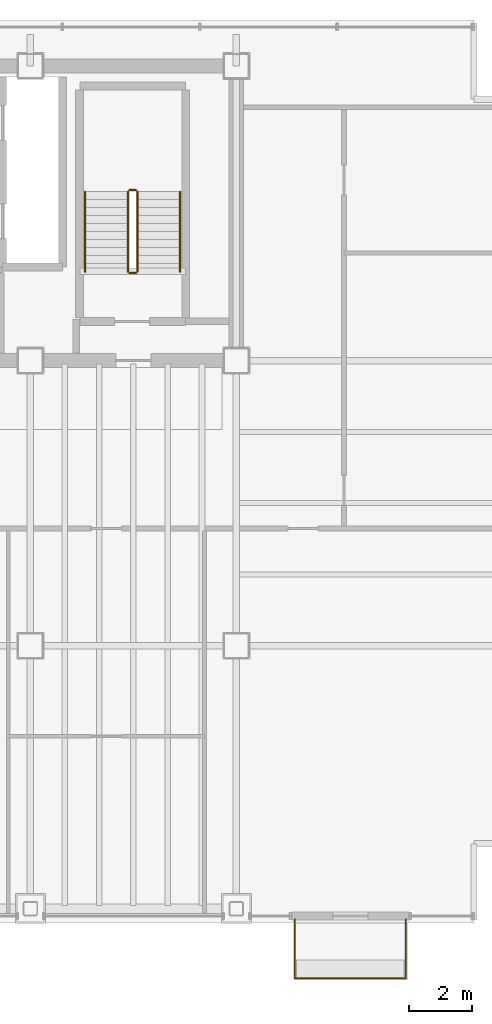
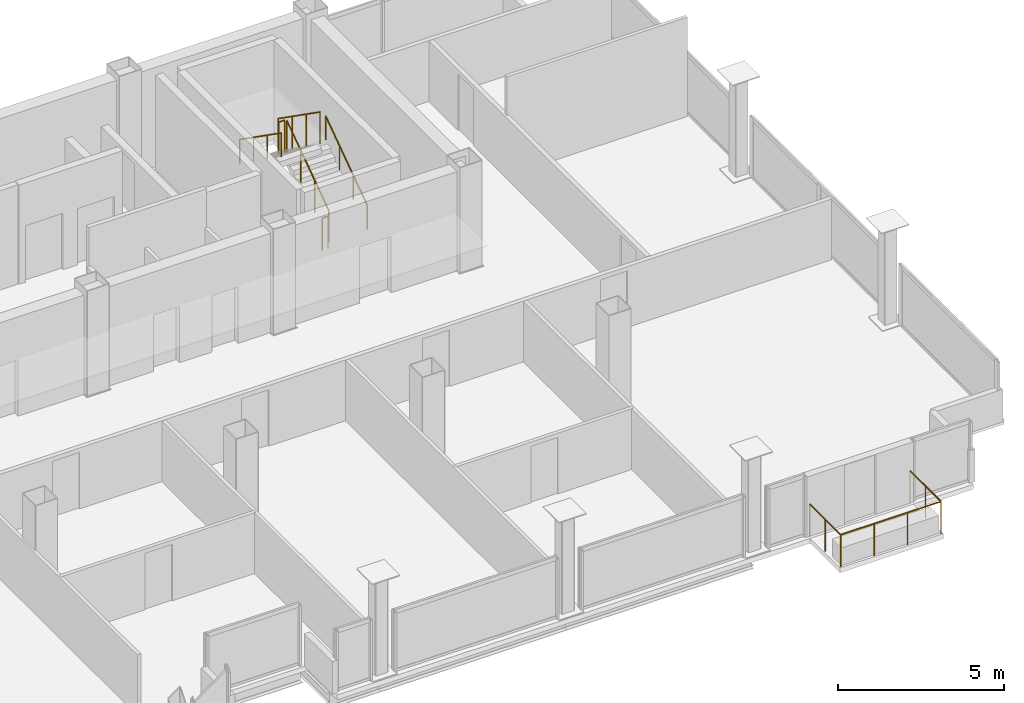
# One storey, part 17 of 17: 7 railings.
"""IFC4 building model written with IfcOpenShell, lengths in metres."""

from ifc_helpers import new_model, si_unit, direction, frame, origin, origin_2d, place, context, subcontext, project, spatial, circle, extrude, material, layer, layer_set, type_object, element, save


model = new_model("IFC4")

# Units and contexts
model_context = context("Model", 3, precision=1e-05, world=origin(), true_north=direction((0.0, 1.0)))
body_context = subcontext(model_context, "Body", "Model", "MODEL_VIEW")
ifc_project = project(units=[si_unit("LENGTHUNIT", "METRE"), si_unit("AREAUNIT", "SQUARE_METRE"), si_unit("VOLUMEUNIT", "CUBIC_METRE"), si_unit("PLANEANGLEUNIT", "RADIAN"), si_unit("MASSUNIT", "GRAM", prefix="KILO")], contexts=[model_context])

# Site, building, storey
site_placement = place(None, origin())
site = spatial("IfcSite", under=ifc_project, at=site_placement, CompositionType="ELEMENT")
building_placement = place(site_placement, origin())
building = spatial("IfcBuilding", under=site, at=building_placement, Name="Noeulbin Bourse Tower", CompositionType="ELEMENT")
storey_placement = place(building_placement, frame((0.0, 0.0, 226.699951171875)))
storey = spatial("IfcBuildingStorey", under=building, at=storey_placement, Name="L56", CompositionType="ELEMENT", Elevation=226.699951171875)

# Railings
ifc_material_1 = material(Name="Laminated SentryGlas and Stainless Steel 316", Category="steel")
ifc_layer_1 = layer(ifc_material_1, 0.06005859375)
ifc_layer_set_1 = layer_set([ifc_layer_1], Name="Laminated SentryGlas and Stainless Steel 316")
railing_type_1 = type_object("IfcRailingType", Name="RLG-BAL-1200", PredefinedType="BALUSTRADE", material=ifc_layer_set_1)
railing_1_placement = place(storey_placement, frame((45.85009765625, 11.3701171875, 0.0)))
element("IfcRailing", 1, at=railing_1_placement, inside=storey, type_object=railing_type_1, Name="Tree-Balcony Glazed Balustrade L56", PredefinedType="BALUSTRADE", context=body_context, shape_type="SweptSolid", body=[
    extrude(circle(Radius=0.02392578125, at=origin_2d()), frame((0.0, 0.0, 1.17578125), z_axis=(0.0, -1.0, 0.0), x_axis=(1.0, 0.0, 0.0)), (0.0, 0.0, 1.0), 1.8701171875),
    extrude(circle(Radius=0.02392578125, at=origin_2d()), frame((0.0, -1.8701171875, 1.17578125), z_axis=(1.0, 0.0, 0.0), x_axis=(0.0, 1.0, 0.0)), (0.0, 0.0, 1.0), 3.5),
    extrude(circle(Radius=0.02392578125, at=origin_2d()), frame((3.5, -1.8701171875, 1.17578125), z_axis=(0.0, 1.0, 0.0), x_axis=(-1.0, 0.0, 0.0)), (0.0, 0.0, 1.0), 1.8701171875),
    extrude(circle(Radius=0.02099609375, at=origin_2d()), origin(), (0.0, 0.0, 1.0), 1.15185546875),
    extrude(circle(Radius=0.02099609375, at=origin_2d()), frame((0.0, -0.93505859375, 0.0)), (0.0, 0.0, 1.0), 1.15185546875),
    extrude(circle(Radius=0.02099609375, at=origin_2d()), frame((0.0, -1.8701171875, 0.0)), (0.0, 0.0, 1.0), 1.15185546875),
    extrude(circle(Radius=0.02099609375, at=origin_2d()), frame((1.166748046875, -1.8701171875, 0.0)), (0.0, 0.0, 1.0), 1.15185546875),
    extrude(circle(Radius=0.02099609375, at=origin_2d()), frame((2.333251953125, -1.8701171875, 0.0)), (0.0, 0.0, 1.0), 1.15185546875),
    extrude(circle(Radius=0.02099609375, at=origin_2d()), frame((3.5, -1.8701171875, 0.0)), (0.0, 0.0, 1.0), 1.15185546875),
    extrude(circle(Radius=0.02099609375, at=origin_2d()), frame((3.5, -0.93505859375, 0.0)), (0.0, 0.0, 1.0), 1.15185546875),
    extrude(circle(Radius=0.02099609375, at=origin_2d()), frame((3.5, 0.0, 0.0)), (0.0, 0.0, 1.0), 1.15185546875),
])
ifc_material_2 = material(Name="Painted Tubular Steel S355", Category="steel")
ifc_layer_2 = layer(ifc_material_2, 0.048095703125)
ifc_layer_set_2 = layer_set([ifc_layer_2], Name="Painted Tubular Steel S355")
railing_type_2 = type_object("IfcRailingType", Name="RLG-STR-GRD", PredefinedType="GUARDRAIL", material=ifc_layer_set_2)
railing_2_placement = place(storey_placement, frame((40.8798828125, 31.81005859375, 0.17724609375)))
element("IfcRailing", 2, at=railing_2_placement, inside=storey, type_object=railing_type_2, Name="L56 ST-2 stair guard 1", PredefinedType="GUARDRAIL", context=body_context, shape_type="SweptSolid", body=[
    extrude(circle(Radius=0.02392578125, at=origin_2d()), frame((0.0, 0.0, 1.17578125), z_axis=(0.0, 0.817904474719, 0.575354039036), x_axis=(-1.0, 0.0, 0.0)), (0.0, 0.0, 1.0), 3.0810546875),
    extrude(circle(Radius=0.02099609375, at=origin_2d()), origin(), (0.0, 0.0, 1.0), 1.15185546875),
    extrude(circle(Radius=0.02099609375, at=origin_2d()), frame((0.0, 0.840087890625, 0.5908203125)), (0.0, 0.0, 1.0), 1.15185546875),
    extrude(circle(Radius=0.02099609375, at=origin_2d()), frame((0.0, 1.679931640625, 1.181884765625)), (0.0, 0.0, 1.0), 1.15185546875),
    extrude(circle(Radius=0.02099609375, at=origin_2d()), frame((0.0, 2.52001953125, 1.772705078125)), (0.0, 0.0, 1.0), 1.15185546875),
])
railing_3_placement = place(storey_placement, frame((40.830078125, 34.3798828125, 1.949951171875)))
element("IfcRailing", 3, at=railing_3_placement, inside=storey, type_object=railing_type_2, Name="L56 ST-2 stair guard 2", PredefinedType="GUARDRAIL", context=body_context, shape_type="SweptSolid", body=[
    extrude(circle(Radius=0.02392578125, at=origin_2d()), frame((0.0, 0.0, 1.17578125), z_axis=(-1.0, 0.0, 0.0), x_axis=(0.0, -1.0, 0.0)), (0.0, 0.0, 1.0), 0.2001953125),
    extrude(circle(Radius=0.02099609375, at=origin_2d()), origin(), (0.0, 0.0, 1.0), 1.15185546875),
    extrude(circle(Radius=0.02099609375, at=origin_2d()), frame((-0.2001953125, 0.0, 0.0)), (0.0, 0.0, 1.0), 1.15185546875),
])
railing_4_placement = place(storey_placement, frame((40.580078125, 34.330078125, 2.12744140625)))
element("IfcRailing", 4, at=railing_4_placement, inside=storey, type_object=railing_type_2, Name="L56 ST-2 stair guard 3", PredefinedType="GUARDRAIL", context=body_context, shape_type="SweptSolid", body=[
    extrude(circle(Radius=0.02392578125, at=origin_2d()), frame((0.0, 0.0, 1.17578125), z_axis=(0.0, -0.817904474719, 0.575354039036), x_axis=(1.0, 0.0, 0.0)), (0.0, 0.0, 1.0), 3.0810546875),
    extrude(circle(Radius=0.02099609375, at=origin_2d()), origin(), (0.0, 0.0, 1.0), 1.15185546875),
    extrude(circle(Radius=0.02099609375, at=origin_2d()), frame((0.0, -0.840087890625, 0.5908203125)), (0.0, 0.0, 1.0), 1.15185546875),
    extrude(circle(Radius=0.02099609375, at=origin_2d()), frame((0.0, -1.679931640625, 1.181884765625)), (0.0, 0.0, 1.0), 1.15185546875),
    extrude(circle(Radius=0.02099609375, at=origin_2d()), frame((0.0, -2.52001953125, 1.772705078125)), (0.0, 0.0, 1.0), 1.15185546875),
])
railing_5_placement = place(storey_placement, frame((40.830078125, 31.760009765625, 0.0)))
element("IfcRailing", 5, at=railing_5_placement, inside=storey, type_object=railing_type_2, Name="L56 ST-2 stair guard 4", PredefinedType="GUARDRAIL", context=body_context, shape_type="SweptSolid", body=[
    extrude(circle(Radius=0.02392578125, at=origin_2d()), frame((0.0, 0.0, 1.17578125), z_axis=(-1.0, 0.0, 0.0), x_axis=(0.0, -1.0, 0.0)), (0.0, 0.0, 1.0), 0.2001953125),
    extrude(circle(Radius=0.02099609375, at=origin_2d()), origin(), (0.0, 0.0, 1.0), 1.15185546875),
    extrude(circle(Radius=0.02099609375, at=origin_2d()), frame((-0.2001953125, 0.0, 0.0)), (0.0, 0.0, 1.0), 1.15185546875),
])
ifc_material_3 = material(Name="Brushed Stainless Steel 316", Category="steel")
ifc_layer_3 = layer(ifc_material_3, 0.048095703125)
ifc_layer_set_3 = layer_set([ifc_layer_3], Name="Brushed Stainless Steel 316")
railing_type_3 = type_object("IfcRailingType", Name="RLG-STR-HND", PredefinedType="HANDRAIL", material=ifc_layer_set_3)
railing_6_placement = place(storey_placement, frame((42.22998046875, 31.81005859375, 0.17724609375)))
element("IfcRailing", 6, at=railing_6_placement, inside=storey, type_object=railing_type_3, Name="L56 ST-2 stair handrail 1", PredefinedType="HANDRAIL", context=body_context, shape_type="SweptSolid", body=[
    extrude(circle(Radius=0.02392578125, at=origin_2d()), frame((0.0, 0.0, 0.8759765625), z_axis=(0.0, 0.817904474719, 0.575354039036), x_axis=(-1.0, 0.0, 0.0)), (0.0, 0.0, 1.0), 3.0810546875),
    extrude(circle(Radius=0.02099609375, at=origin_2d()), origin(), (0.0, 0.0, 1.0), 0.851806640625),
    extrude(circle(Radius=0.02099609375, at=origin_2d()), frame((0.0, 0.840087890625, 0.5908203125)), (0.0, 0.0, 1.0), 0.851806640625),
    extrude(circle(Radius=0.02099609375, at=origin_2d()), frame((0.0, 1.679931640625, 1.181884765625)), (0.0, 0.0, 1.0), 0.851806640625),
    extrude(circle(Radius=0.02099609375, at=origin_2d()), frame((0.0, 2.52001953125, 1.772705078125)), (0.0, 0.0, 1.0), 0.851806640625),
])
railing_7_placement = place(storey_placement, frame((39.22998046875, 34.330078125, 2.12744140625)))
element("IfcRailing", 7, at=railing_7_placement, inside=storey, type_object=railing_type_3, Name="L56 ST-2 stair handrail 2", PredefinedType="HANDRAIL", context=body_context, shape_type="SweptSolid", body=[
    extrude(circle(Radius=0.02392578125, at=origin_2d()), frame((0.0, 0.0, 0.8759765625), z_axis=(0.0, -0.817904474719, 0.575354039036), x_axis=(1.0, 0.0, 0.0)), (0.0, 0.0, 1.0), 3.0810546875),
    extrude(circle(Radius=0.02099609375, at=origin_2d()), origin(), (0.0, 0.0, 1.0), 0.851806640625),
    extrude(circle(Radius=0.02099609375, at=origin_2d()), frame((0.0, -0.840087890625, 0.5908203125)), (0.0, 0.0, 1.0), 0.851806640625),
    extrude(circle(Radius=0.02099609375, at=origin_2d()), frame((0.0, -1.679931640625, 1.181884765625)), (0.0, 0.0, 1.0), 0.851806640625),
    extrude(circle(Radius=0.02099609375, at=origin_2d()), frame((0.0, -2.52001953125, 1.772705078125)), (0.0, 0.0, 1.0), 0.851806640625),
])

save(model, "model.ifc")
